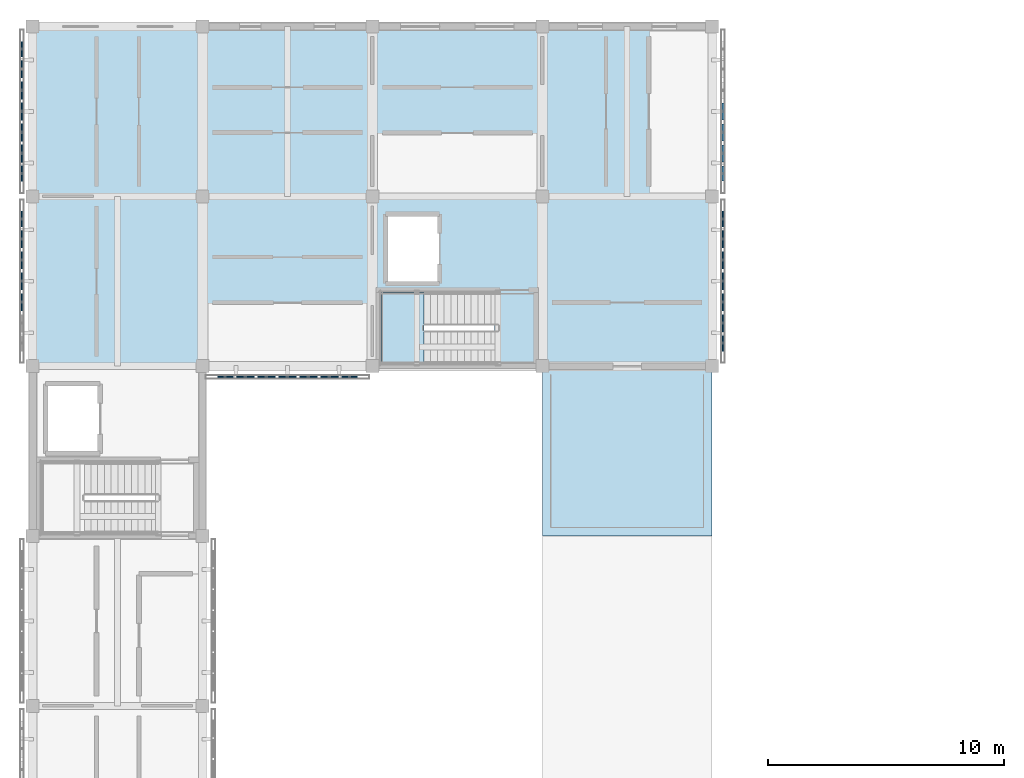
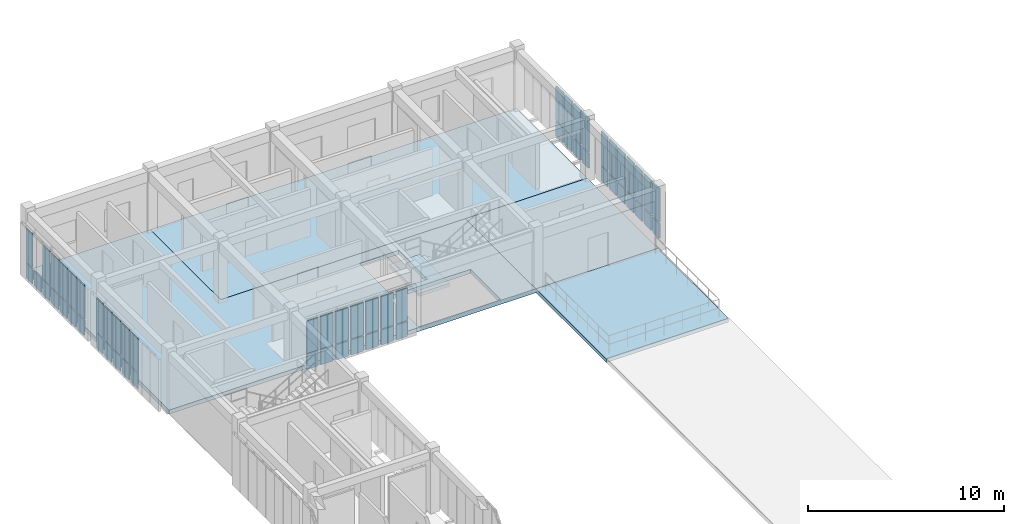
# One storey, part 18 of 33: 59 plates, 5 slabs, 6 elements without a shape of their own.
"""IFC4 building model written with IfcOpenShell, lengths in metres."""

from ifc_helpers import new_model, si_unit, direction, frame, origin, origin_2d, place, context, subcontext, project, spatial, polyline, rectangle, outline, extrude, material, layer, layer_set, type_object, element, aggregate, save


model = new_model("IFC4")

# Units and contexts
model_context = context("Model", 3, precision=1e-05, world=origin(), true_north=direction((0.0, 1.0)))
body_context = subcontext(model_context, "Body", "Model", "MODEL_VIEW")
ifc_project = project(units=[si_unit("LENGTHUNIT", "METRE"), si_unit("AREAUNIT", "SQUARE_METRE"), si_unit("VOLUMEUNIT", "CUBIC_METRE"), si_unit("PLANEANGLEUNIT", "RADIAN"), si_unit("MASSUNIT", "GRAM", prefix="KILO")], contexts=[model_context])

# Site, building, storey
site_placement = place(None, origin())
site = spatial("IfcSite", under=ifc_project, at=site_placement, CompositionType="ELEMENT")
building_placement = place(site_placement, origin())
building = spatial("IfcBuilding", under=site, at=building_placement, Name="Aldebral Square Health Centre", CompositionType="ELEMENT")
storey_placement = place(building_placement, frame((0.0, 0.0, 17.550048828125)))
storey = spatial("IfcBuildingStorey", under=building, at=storey_placement, Name="L04", CompositionType="ELEMENT", Elevation=17.550048828125)

# Curtain wall, plates
ifc_material_1 = material(Name="Aluminium and low-E solar glass", Category="aluminium")
curtain_wall_type = type_object("IfcCurtainWallType", Name="CW-FIN-SYS", PredefinedType="USERDEFINED", material=ifc_material_1)
curtain_wall_1_placement = place(storey_placement, origin())
curtain_wall_1 = element("IfcCurtainWall", 1, at=curtain_wall_1_placement, inside=storey, type_object=curtain_wall_type, Name="L04 V4 finned curtain wall L04-V4-00-14-W", ObjectType="SOLAR_CURTAIN_WALL", PredefinedType="USERDEFINED")
ifc_material_2 = material(Name="Solar-control low-E double glass", Category="glass")
ifc_layer_1 = layer(ifc_material_2, 0.050048828125, Name="Solar-control low-E double glass", Category="glass")
ifc_layer_set_1 = layer_set([ifc_layer_1], Name="Solar-control low-E double glass")
plate_type_1 = type_object("IfcPlateType", Name="CWP-GLZ-4", PredefinedType="CURTAIN_PANEL", material=ifc_layer_set_1)
plate_1_placement = place(storey_placement, frame((-0.4599609375, 107.0341796875, 0.074951171875), z_axis=(0.0, 0.0, 1.0), x_axis=(0.0, -1.0, 0.0)))
plate_1 = element("IfcPlate", 2, at=plate_1_placement, type_object=plate_type_1, Name="CW1 panel 1.1", PredefinedType="CURTAIN_PANEL", context=body_context, shape_type="SweptSolid", body=[
    extrude(rectangle(XDim=0.6513671875, YDim=0.050048828125, at=origin_2d()), origin(), (0.0, 0.0, 1.0), 0.9375),
])
plate_2_placement = place(storey_placement, frame((-0.4599609375, 107.0341796875, 1.08740234375), z_axis=(0.0, 0.0, 1.0), x_axis=(0.0, -1.0, 0.0)))
plate_2 = element("IfcPlate", 3, at=plate_2_placement, type_object=plate_type_1, Name="CW1 panel 1.2", PredefinedType="CURTAIN_PANEL", context=body_context, shape_type="SweptSolid", body=[
    extrude(rectangle(XDim=0.6513671875, YDim=0.050048828125, at=origin_2d()), origin(), (0.0, 0.0, 1.0), 2.08740234375),
])
plate_3_placement = place(storey_placement, frame((-0.4599609375, 106.182861328125, 0.074951171875), z_axis=(0.0, 0.0, 1.0), x_axis=(0.0, -1.0, 0.0)))
plate_3 = element("IfcPlate", 4, at=plate_3_placement, type_object=plate_type_1, Name="CW1 panel 2.1", PredefinedType="CURTAIN_PANEL", context=body_context, shape_type="SweptSolid", body=[
    extrude(rectangle(XDim=0.7314453125, YDim=0.050048828125, at=origin_2d()), origin(), (0.0, 0.0, 1.0), 0.9375),
])
plate_4_placement = place(storey_placement, frame((-0.4599609375, 106.182861328125, 1.08740234375), z_axis=(0.0, 0.0, 1.0), x_axis=(0.0, -1.0, 0.0)))
plate_4 = element("IfcPlate", 5, at=plate_4_placement, type_object=plate_type_1, Name="CW1 panel 2.2", PredefinedType="CURTAIN_PANEL", context=body_context, shape_type="SweptSolid", body=[
    extrude(rectangle(XDim=0.7314453125, YDim=0.050048828125, at=origin_2d()), origin(), (0.0, 0.0, 1.0), 2.08740234375),
])
plate_5_placement = place(storey_placement, frame((-0.4599609375, 105.29150390625, 0.074951171875), z_axis=(0.0, 0.0, 1.0), x_axis=(0.0, -1.0, 0.0)))
plate_5 = element("IfcPlate", 6, at=plate_5_placement, type_object=plate_type_1, Name="CW1 panel 3.1", PredefinedType="CURTAIN_PANEL", context=body_context, shape_type="SweptSolid", body=[
    extrude(rectangle(XDim=0.7314453125, YDim=0.050048828125, at=origin_2d()), origin(), (0.0, 0.0, 1.0), 0.9375),
])
plate_6_placement = place(storey_placement, frame((-0.4599609375, 105.29150390625, 1.08740234375), z_axis=(0.0, 0.0, 1.0), x_axis=(0.0, -1.0, 0.0)))
plate_6 = element("IfcPlate", 7, at=plate_6_placement, type_object=plate_type_1, Name="CW1 panel 3.2", PredefinedType="CURTAIN_PANEL", context=body_context, shape_type="SweptSolid", body=[
    extrude(rectangle(XDim=0.7314453125, YDim=0.050048828125, at=origin_2d()), origin(), (0.0, 0.0, 1.0), 2.08740234375),
])
plate_7_placement = place(storey_placement, frame((-0.4599609375, 104.39990234375, 0.074951171875), z_axis=(0.0, 0.0, 1.0), x_axis=(0.0, -1.0, 0.0)))
plate_7 = element("IfcPlate", 8, at=plate_7_placement, type_object=plate_type_1, Name="CW1 panel 4.1", PredefinedType="CURTAIN_PANEL", context=body_context, shape_type="SweptSolid", body=[
    extrude(rectangle(XDim=0.7314453125, YDim=0.050048828125, at=origin_2d()), origin(), (0.0, 0.0, 1.0), 0.9375),
])
plate_8_placement = place(storey_placement, frame((-0.4599609375, 104.39990234375, 1.08740234375), z_axis=(0.0, 0.0, 1.0), x_axis=(0.0, -1.0, 0.0)))
plate_8 = element("IfcPlate", 9, at=plate_8_placement, type_object=plate_type_1, Name="CW1 panel 4.2", PredefinedType="CURTAIN_PANEL", context=body_context, shape_type="SweptSolid", body=[
    extrude(rectangle(XDim=0.7314453125, YDim=0.050048828125, at=origin_2d()), origin(), (0.0, 0.0, 1.0), 2.08740234375),
])
plate_9_placement = place(storey_placement, frame((-0.4599609375, 103.508544921875, 0.074951171875), z_axis=(0.0, 0.0, 1.0), x_axis=(0.0, -1.0, 0.0)))
plate_9 = element("IfcPlate", 10, at=plate_9_placement, type_object=plate_type_1, Name="CW1 panel 5.1", PredefinedType="CURTAIN_PANEL", context=body_context, shape_type="SweptSolid", body=[
    extrude(rectangle(XDim=0.7314453125, YDim=0.050048828125, at=origin_2d()), origin(), (0.0, 0.0, 1.0), 0.9375),
])
plate_10_placement = place(storey_placement, frame((-0.4599609375, 103.508544921875, 1.08740234375), z_axis=(0.0, 0.0, 1.0), x_axis=(0.0, -1.0, 0.0)))
plate_10 = element("IfcPlate", 11, at=plate_10_placement, type_object=plate_type_1, Name="CW1 panel 5.2", PredefinedType="CURTAIN_PANEL", context=body_context, shape_type="SweptSolid", body=[
    extrude(rectangle(XDim=0.7314453125, YDim=0.050048828125, at=origin_2d()), origin(), (0.0, 0.0, 1.0), 2.08740234375),
])
aggregate(curtain_wall_1, [plate_1, plate_2, plate_3, plate_4, plate_5, plate_6, plate_7, plate_8, plate_9, plate_10])

curtain_wall_2_placement = place(storey_placement, origin())
curtain_wall_2 = element("IfcCurtainWall", 12, at=curtain_wall_2_placement, inside=storey, type_object=curtain_wall_type, Name="L04 V4 finned curtain wall L04-V4-00-15-W", ObjectType="SOLAR_CURTAIN_WALL", PredefinedType="USERDEFINED")
ifc_layer_2 = layer(ifc_material_2, 0.06005859375, Name="Solar-control low-E double glass", Category="glass")
ifc_layer_set_2 = layer_set([ifc_layer_2], Name="Solar-control low-E double glass")
plate_type_2 = type_object("IfcPlateType", Name="CWP-GLZ-5", PredefinedType="CURTAIN_PANEL", material=ifc_layer_set_2)
plate_11_placement = place(storey_placement, frame((-0.4599609375, 114.234375, 0.074951171875), z_axis=(0.0, 0.0, 1.0), x_axis=(0.0, -1.0, 0.0)))
plate_11 = element("IfcPlate", 13, at=plate_11_placement, type_object=plate_type_2, Name="CW1 panel 1.1", PredefinedType="CURTAIN_PANEL", context=body_context, shape_type="SweptSolid", body=[
    extrude(rectangle(XDim=0.6513671875, YDim=0.06005859375, at=origin_2d()), origin(), (0.0, 0.0, 1.0), 0.9375),
])
plate_12_placement = place(storey_placement, frame((-0.4599609375, 114.234375, 1.08740234375), z_axis=(0.0, 0.0, 1.0), x_axis=(0.0, -1.0, 0.0)))
plate_12 = element("IfcPlate", 14, at=plate_12_placement, type_object=plate_type_2, Name="CW1 panel 1.2", PredefinedType="CURTAIN_PANEL", context=body_context, shape_type="SweptSolid", body=[
    extrude(rectangle(XDim=0.6513671875, YDim=0.06005859375, at=origin_2d()), origin(), (0.0, 0.0, 1.0), 2.08740234375),
])
plate_13_placement = place(storey_placement, frame((-0.4599609375, 113.3828125, 0.074951171875), z_axis=(0.0, 0.0, 1.0), x_axis=(0.0, -1.0, 0.0)))
plate_13 = element("IfcPlate", 15, at=plate_13_placement, type_object=plate_type_2, Name="CW1 panel 2.1", PredefinedType="CURTAIN_PANEL", context=body_context, shape_type="SweptSolid", body=[
    extrude(rectangle(XDim=0.7314453125, YDim=0.06005859375, at=origin_2d()), origin(), (0.0, 0.0, 1.0), 0.9375),
])
plate_14_placement = place(storey_placement, frame((-0.4599609375, 112.491455078125, 0.074951171875), z_axis=(0.0, 0.0, 1.0), x_axis=(0.0, -1.0, 0.0)))
plate_14 = element("IfcPlate", 16, at=plate_14_placement, type_object=plate_type_2, Name="CW1 panel 3.1", PredefinedType="CURTAIN_PANEL", context=body_context, shape_type="SweptSolid", body=[
    extrude(rectangle(XDim=0.7314453125, YDim=0.06005859375, at=origin_2d()), origin(), (0.0, 0.0, 1.0), 0.9375),
])
plate_15_placement = place(storey_placement, frame((-0.4599609375, 112.491455078125, 1.08740234375), z_axis=(0.0, 0.0, 1.0), x_axis=(0.0, -1.0, 0.0)))
plate_15 = element("IfcPlate", 17, at=plate_15_placement, type_object=plate_type_2, Name="CW1 panel 3.2", PredefinedType="CURTAIN_PANEL", context=body_context, shape_type="SweptSolid", body=[
    extrude(rectangle(XDim=0.7314453125, YDim=0.06005859375, at=origin_2d()), origin(), (0.0, 0.0, 1.0), 2.08740234375),
])
plate_16_placement = place(storey_placement, frame((-0.4599609375, 111.60009765625, 0.074951171875), z_axis=(0.0, 0.0, 1.0), x_axis=(0.0, -1.0, 0.0)))
plate_16 = element("IfcPlate", 18, at=plate_16_placement, type_object=plate_type_2, Name="CW1 panel 4.1", PredefinedType="CURTAIN_PANEL", context=body_context, shape_type="SweptSolid", body=[
    extrude(rectangle(XDim=0.7314453125, YDim=0.06005859375, at=origin_2d()), origin(), (0.0, 0.0, 1.0), 0.9375),
])
plate_17_placement = place(storey_placement, frame((-0.4599609375, 111.60009765625, 1.08740234375), z_axis=(0.0, 0.0, 1.0), x_axis=(0.0, -1.0, 0.0)))
plate_17 = element("IfcPlate", 19, at=plate_17_placement, type_object=plate_type_2, Name="CW1 panel 4.2", PredefinedType="CURTAIN_PANEL", context=body_context, shape_type="SweptSolid", body=[
    extrude(rectangle(XDim=0.7314453125, YDim=0.06005859375, at=origin_2d()), origin(), (0.0, 0.0, 1.0), 2.08740234375),
])
plate_18_placement = place(storey_placement, frame((-0.4599609375, 110.70849609375, 0.074951171875), z_axis=(0.0, 0.0, 1.0), x_axis=(0.0, -1.0, 0.0)))
plate_18 = element("IfcPlate", 20, at=plate_18_placement, type_object=plate_type_2, Name="CW1 panel 5.1", PredefinedType="CURTAIN_PANEL", context=body_context, shape_type="SweptSolid", body=[
    extrude(rectangle(XDim=0.7314453125, YDim=0.06005859375, at=origin_2d()), origin(), (0.0, 0.0, 1.0), 0.9375),
])
plate_19_placement = place(storey_placement, frame((-0.4599609375, 110.70849609375, 1.08740234375), z_axis=(0.0, 0.0, 1.0), x_axis=(0.0, -1.0, 0.0)))
plate_19 = element("IfcPlate", 21, at=plate_19_placement, type_object=plate_type_2, Name="CW1 panel 5.2", PredefinedType="CURTAIN_PANEL", context=body_context, shape_type="SweptSolid", body=[
    extrude(rectangle(XDim=0.7314453125, YDim=0.06005859375, at=origin_2d()), origin(), (0.0, 0.0, 1.0), 2.08740234375),
])
plate_20_placement = place(storey_placement, frame((-0.4599609375, 109.817138671875, 0.074951171875), z_axis=(0.0, 0.0, 1.0), x_axis=(0.0, -1.0, 0.0)))
plate_20 = element("IfcPlate", 22, at=plate_20_placement, type_object=plate_type_2, Name="CW1 panel 6.1", PredefinedType="CURTAIN_PANEL", context=body_context, shape_type="SweptSolid", body=[
    extrude(rectangle(XDim=0.7314453125, YDim=0.06005859375, at=origin_2d()), origin(), (0.0, 0.0, 1.0), 0.9375),
])
plate_21_placement = place(storey_placement, frame((-0.4599609375, 109.817138671875, 1.08740234375), z_axis=(0.0, 0.0, 1.0), x_axis=(0.0, -1.0, 0.0)))
plate_21 = element("IfcPlate", 23, at=plate_21_placement, type_object=plate_type_2, Name="CW1 panel 6.2", PredefinedType="CURTAIN_PANEL", context=body_context, shape_type="SweptSolid", body=[
    extrude(rectangle(XDim=0.7314453125, YDim=0.06005859375, at=origin_2d()), origin(), (0.0, 0.0, 1.0), 2.08740234375),
])
plate_22_placement = place(storey_placement, frame((-0.4599609375, 108.9658203125, 0.074951171875), z_axis=(0.0, 0.0, 1.0), x_axis=(0.0, -1.0, 0.0)))
plate_22 = element("IfcPlate", 24, at=plate_22_placement, type_object=plate_type_2, Name="CW1 panel 7.1", PredefinedType="CURTAIN_PANEL", context=body_context, shape_type="SweptSolid", body=[
    extrude(rectangle(XDim=0.6513671875, YDim=0.06005859375, at=origin_2d()), origin(), (0.0, 0.0, 1.0), 0.9375),
])
plate_23_placement = place(storey_placement, frame((-0.4599609375, 108.9658203125, 1.08740234375), z_axis=(0.0, 0.0, 1.0), x_axis=(0.0, -1.0, 0.0)))
plate_23 = element("IfcPlate", 25, at=plate_23_placement, type_object=plate_type_2, Name="CW1 panel 7.2", PredefinedType="CURTAIN_PANEL", context=body_context, shape_type="SweptSolid", body=[
    extrude(rectangle(XDim=0.6513671875, YDim=0.06005859375, at=origin_2d()), origin(), (0.0, 0.0, 1.0), 2.08740234375),
])
aggregate(curtain_wall_2, [plate_11, plate_12, plate_13, plate_14, plate_15, plate_16, plate_17, plate_18, plate_19, plate_20, plate_21, plate_22, plate_23])

curtain_wall_3_placement = place(storey_placement, origin())
curtain_wall_3 = element("IfcCurtainWall", 26, at=curtain_wall_3_placement, inside=storey, type_object=curtain_wall_type, Name="L04 V4 finned curtain wall L04-V4-01-14-S", ObjectType="SOLAR_CURTAIN_WALL", PredefinedType="USERDEFINED")
ifc_layer_3 = layer(ifc_material_2, 0.070068359375, Name="Solar-control low-E double glass", Category="glass")
ifc_layer_set_3 = layer_set([ifc_layer_3], Name="Solar-control low-E double glass")
plate_type_3 = type_object("IfcPlateType", Name="CWP-GLZ-6", PredefinedType="CURTAIN_PANEL", material=ifc_layer_set_3)
plate_24_placement = place(storey_placement, frame((8.165771484375, 100.340087890625, 0.074951171875), z_axis=(0.0, 0.0, 1.0), x_axis=(1.0, 0.0, 0.0)))
plate_24 = element("IfcPlate", 27, at=plate_24_placement, type_object=plate_type_3, Name="CW1 panel 1.1", PredefinedType="CURTAIN_PANEL", context=body_context, shape_type="SweptSolid", body=[
    extrude(rectangle(XDim=0.6513671875, YDim=0.070068359375, at=origin_2d()), origin(), (0.0, 0.0, 1.0), 0.9375),
])
plate_25_placement = place(storey_placement, frame((8.165771484375, 100.340087890625, 1.08740234375), z_axis=(0.0, 0.0, 1.0), x_axis=(1.0, 0.0, 0.0)))
plate_25 = element("IfcPlate", 28, at=plate_25_placement, type_object=plate_type_3, Name="CW1 panel 1.2", PredefinedType="CURTAIN_PANEL", context=body_context, shape_type="SweptSolid", body=[
    extrude(rectangle(XDim=0.6513671875, YDim=0.070068359375, at=origin_2d()), origin(), (0.0, 0.0, 1.0), 1.987548828125),
])
plate_26_placement = place(storey_placement, frame((9.01708984375, 100.340087890625, 0.074951171875), z_axis=(0.0, 0.0, 1.0), x_axis=(1.0, 0.0, 0.0)))
plate_26 = element("IfcPlate", 29, at=plate_26_placement, type_object=plate_type_3, Name="CW1 panel 2.1", PredefinedType="CURTAIN_PANEL", context=body_context, shape_type="SweptSolid", body=[
    extrude(rectangle(XDim=0.7314453125, YDim=0.070068359375, at=origin_2d()), origin(), (0.0, 0.0, 1.0), 0.9375),
])
plate_27_placement = place(storey_placement, frame((9.01708984375, 100.340087890625, 1.08740234375), z_axis=(0.0, 0.0, 1.0), x_axis=(1.0, 0.0, 0.0)))
plate_27 = element("IfcPlate", 30, at=plate_27_placement, type_object=plate_type_3, Name="CW1 panel 2.2", PredefinedType="CURTAIN_PANEL", context=body_context, shape_type="SweptSolid", body=[
    extrude(rectangle(XDim=0.7314453125, YDim=0.070068359375, at=origin_2d()), origin(), (0.0, 0.0, 1.0), 1.987548828125),
])
plate_28_placement = place(storey_placement, frame((9.90869140625, 100.340087890625, 0.074951171875), z_axis=(0.0, 0.0, 1.0), x_axis=(1.0, 0.0, 0.0)))
plate_28 = element("IfcPlate", 31, at=plate_28_placement, type_object=plate_type_3, Name="CW1 panel 3.1", PredefinedType="CURTAIN_PANEL", context=body_context, shape_type="SweptSolid", body=[
    extrude(rectangle(XDim=0.7314453125, YDim=0.070068359375, at=origin_2d()), origin(), (0.0, 0.0, 1.0), 0.9375),
])
plate_29_placement = place(storey_placement, frame((9.90869140625, 100.340087890625, 1.08740234375), z_axis=(0.0, 0.0, 1.0), x_axis=(1.0, 0.0, 0.0)))
plate_29 = element("IfcPlate", 32, at=plate_29_placement, type_object=plate_type_3, Name="CW1 panel 3.2", PredefinedType="CURTAIN_PANEL", context=body_context, shape_type="SweptSolid", body=[
    extrude(rectangle(XDim=0.7314453125, YDim=0.070068359375, at=origin_2d()), origin(), (0.0, 0.0, 1.0), 1.987548828125),
])
plate_30_placement = place(storey_placement, frame((10.800048828125, 100.340087890625, 0.074951171875), z_axis=(0.0, 0.0, 1.0), x_axis=(1.0, 0.0, 0.0)))
plate_30 = element("IfcPlate", 33, at=plate_30_placement, type_object=plate_type_3, Name="CW1 panel 4.1", PredefinedType="CURTAIN_PANEL", context=body_context, shape_type="SweptSolid", body=[
    extrude(rectangle(XDim=0.7314453125, YDim=0.070068359375, at=origin_2d()), origin(), (0.0, 0.0, 1.0), 0.9375),
])
plate_31_placement = place(storey_placement, frame((10.800048828125, 100.340087890625, 1.08740234375), z_axis=(0.0, 0.0, 1.0), x_axis=(1.0, 0.0, 0.0)))
plate_31 = element("IfcPlate", 34, at=plate_31_placement, type_object=plate_type_3, Name="CW1 panel 4.2", PredefinedType="CURTAIN_PANEL", context=body_context, shape_type="SweptSolid", body=[
    extrude(rectangle(XDim=0.7314453125, YDim=0.070068359375, at=origin_2d()), origin(), (0.0, 0.0, 1.0), 1.987548828125),
])
plate_32_placement = place(storey_placement, frame((11.69140625, 100.340087890625, 0.074951171875), z_axis=(0.0, 0.0, 1.0), x_axis=(1.0, 0.0, 0.0)))
plate_32 = element("IfcPlate", 35, at=plate_32_placement, type_object=plate_type_3, Name="CW1 panel 5.1", PredefinedType="CURTAIN_PANEL", context=body_context, shape_type="SweptSolid", body=[
    extrude(rectangle(XDim=0.7314453125, YDim=0.070068359375, at=origin_2d()), origin(), (0.0, 0.0, 1.0), 0.9375),
])
plate_33_placement = place(storey_placement, frame((11.69140625, 100.340087890625, 1.08740234375), z_axis=(0.0, 0.0, 1.0), x_axis=(1.0, 0.0, 0.0)))
plate_33 = element("IfcPlate", 36, at=plate_33_placement, type_object=plate_type_3, Name="CW1 panel 5.2", PredefinedType="CURTAIN_PANEL", context=body_context, shape_type="SweptSolid", body=[
    extrude(rectangle(XDim=0.7314453125, YDim=0.070068359375, at=origin_2d()), origin(), (0.0, 0.0, 1.0), 1.987548828125),
])
plate_34_placement = place(storey_placement, frame((12.582763671875, 100.340087890625, 0.074951171875), z_axis=(0.0, 0.0, 1.0), x_axis=(1.0, 0.0, 0.0)))
plate_34 = element("IfcPlate", 37, at=plate_34_placement, type_object=plate_type_3, Name="CW1 panel 6.1", PredefinedType="CURTAIN_PANEL", context=body_context, shape_type="SweptSolid", body=[
    extrude(rectangle(XDim=0.7314453125, YDim=0.070068359375, at=origin_2d()), origin(), (0.0, 0.0, 1.0), 0.9375),
])
plate_35_placement = place(storey_placement, frame((12.582763671875, 100.340087890625, 1.08740234375), z_axis=(0.0, 0.0, 1.0), x_axis=(1.0, 0.0, 0.0)))
plate_35 = element("IfcPlate", 38, at=plate_35_placement, type_object=plate_type_3, Name="CW1 panel 6.2", PredefinedType="CURTAIN_PANEL", context=body_context, shape_type="SweptSolid", body=[
    extrude(rectangle(XDim=0.7314453125, YDim=0.070068359375, at=origin_2d()), origin(), (0.0, 0.0, 1.0), 1.987548828125),
])
plate_36_placement = place(storey_placement, frame((13.434326171875, 100.340087890625, 0.074951171875), z_axis=(0.0, 0.0, 1.0), x_axis=(1.0, 0.0, 0.0)))
plate_36 = element("IfcPlate", 39, at=plate_36_placement, type_object=plate_type_3, Name="CW1 panel 7.1", PredefinedType="CURTAIN_PANEL", context=body_context, shape_type="SweptSolid", body=[
    extrude(rectangle(XDim=0.6513671875, YDim=0.070068359375, at=origin_2d()), origin(), (0.0, 0.0, 1.0), 0.9375),
])
plate_37_placement = place(storey_placement, frame((13.434326171875, 100.340087890625, 1.08740234375), z_axis=(0.0, 0.0, 1.0), x_axis=(1.0, 0.0, 0.0)))
plate_37 = element("IfcPlate", 40, at=plate_37_placement, type_object=plate_type_3, Name="CW1 panel 7.2", PredefinedType="CURTAIN_PANEL", context=body_context, shape_type="SweptSolid", body=[
    extrude(rectangle(XDim=0.6513671875, YDim=0.070068359375, at=origin_2d()), origin(), (0.0, 0.0, 1.0), 1.987548828125),
])
aggregate(curtain_wall_3, [plate_24, plate_25, plate_26, plate_27, plate_28, plate_29, plate_30, plate_31, plate_32, plate_33, plate_34, plate_35, plate_36, plate_37])

curtain_wall_4_placement = place(storey_placement, origin())
curtain_wall_4 = element("IfcCurtainWall", 41, at=curtain_wall_4_placement, inside=storey, type_object=curtain_wall_type, Name="L04 V4 finned curtain wall L04-V4-03-14-E", ObjectType="SOLAR_CURTAIN_WALL", PredefinedType="USERDEFINED")
ifc_layer_4 = layer(ifc_material_2, 0.080078125, Name="Solar-control low-E double glass", Category="glass")
ifc_layer_set_4 = layer_set([ifc_layer_4], Name="Solar-control low-E double glass")
plate_type_4 = type_object("IfcPlateType", Name="CWP-GLZ-7", PredefinedType="CURTAIN_PANEL", material=ifc_layer_set_4)
plate_38_placement = place(storey_placement, frame((29.260009765625, 101.765625, 0.074951171875), z_axis=(0.0, 0.0, 1.0), x_axis=(0.0, 1.0, 0.0)))
plate_38 = element("IfcPlate", 42, at=plate_38_placement, type_object=plate_type_4, Name="CW1 panel 1.1", PredefinedType="CURTAIN_PANEL", context=body_context, shape_type="SweptSolid", body=[
    extrude(rectangle(XDim=0.6513671875, YDim=0.080078125, at=origin_2d()), origin(), (0.0, 0.0, 1.0), 0.9375),
])
plate_39_placement = place(storey_placement, frame((29.260009765625, 101.765625, 1.08740234375), z_axis=(0.0, 0.0, 1.0), x_axis=(0.0, 1.0, 0.0)))
plate_39 = element("IfcPlate", 43, at=plate_39_placement, type_object=plate_type_4, Name="CW1 panel 1.2", PredefinedType="CURTAIN_PANEL", context=body_context, shape_type="SweptSolid", body=[
    extrude(rectangle(XDim=0.6513671875, YDim=0.080078125, at=origin_2d()), origin(), (0.0, 0.0, 1.0), 2.08740234375),
])
plate_40_placement = place(storey_placement, frame((29.260009765625, 102.6171875, 0.074951171875), z_axis=(0.0, 0.0, 1.0), x_axis=(0.0, 1.0, 0.0)))
plate_40 = element("IfcPlate", 44, at=plate_40_placement, type_object=plate_type_4, Name="CW1 panel 2.1", PredefinedType="CURTAIN_PANEL", context=body_context, shape_type="SweptSolid", body=[
    extrude(rectangle(XDim=0.7314453125, YDim=0.080078125, at=origin_2d()), origin(), (0.0, 0.0, 1.0), 0.9375),
])
plate_41_placement = place(storey_placement, frame((29.260009765625, 102.6171875, 1.08740234375), z_axis=(0.0, 0.0, 1.0), x_axis=(0.0, 1.0, 0.0)))
plate_41 = element("IfcPlate", 45, at=plate_41_placement, type_object=plate_type_4, Name="CW1 panel 2.2", PredefinedType="CURTAIN_PANEL", context=body_context, shape_type="SweptSolid", body=[
    extrude(rectangle(XDim=0.7314453125, YDim=0.080078125, at=origin_2d()), origin(), (0.0, 0.0, 1.0), 2.08740234375),
])
plate_42_placement = place(storey_placement, frame((29.260009765625, 103.508544921875, 0.074951171875), z_axis=(0.0, 0.0, 1.0), x_axis=(0.0, 1.0, 0.0)))
plate_42 = element("IfcPlate", 46, at=plate_42_placement, type_object=plate_type_4, Name="CW1 panel 3.1", PredefinedType="CURTAIN_PANEL", context=body_context, shape_type="SweptSolid", body=[
    extrude(rectangle(XDim=0.7314453125, YDim=0.080078125, at=origin_2d()), origin(), (0.0, 0.0, 1.0), 0.9375),
])
plate_43_placement = place(storey_placement, frame((29.260009765625, 103.508544921875, 1.08740234375), z_axis=(0.0, 0.0, 1.0), x_axis=(0.0, 1.0, 0.0)))
plate_43 = element("IfcPlate", 47, at=plate_43_placement, type_object=plate_type_4, Name="CW1 panel 3.2", PredefinedType="CURTAIN_PANEL", context=body_context, shape_type="SweptSolid", body=[
    extrude(rectangle(XDim=0.7314453125, YDim=0.080078125, at=origin_2d()), origin(), (0.0, 0.0, 1.0), 2.08740234375),
])
plate_44_placement = place(storey_placement, frame((29.260009765625, 104.39990234375, 0.074951171875), z_axis=(0.0, 0.0, 1.0), x_axis=(0.0, 1.0, 0.0)))
plate_44 = element("IfcPlate", 48, at=plate_44_placement, type_object=plate_type_4, Name="CW1 panel 4.1", PredefinedType="CURTAIN_PANEL", context=body_context, shape_type="SweptSolid", body=[
    extrude(rectangle(XDim=0.7314453125, YDim=0.080078125, at=origin_2d()), origin(), (0.0, 0.0, 1.0), 0.9375),
])
plate_45_placement = place(storey_placement, frame((29.260009765625, 104.39990234375, 1.08740234375), z_axis=(0.0, 0.0, 1.0), x_axis=(0.0, 1.0, 0.0)))
plate_45 = element("IfcPlate", 49, at=plate_45_placement, type_object=plate_type_4, Name="CW1 panel 4.2", PredefinedType="CURTAIN_PANEL", context=body_context, shape_type="SweptSolid", body=[
    extrude(rectangle(XDim=0.7314453125, YDim=0.080078125, at=origin_2d()), origin(), (0.0, 0.0, 1.0), 2.08740234375),
])
plate_46_placement = place(storey_placement, frame((29.260009765625, 105.29150390625, 0.074951171875), z_axis=(0.0, 0.0, 1.0), x_axis=(0.0, 1.0, 0.0)))
plate_46 = element("IfcPlate", 50, at=plate_46_placement, type_object=plate_type_4, Name="CW1 panel 5.1", PredefinedType="CURTAIN_PANEL", context=body_context, shape_type="SweptSolid", body=[
    extrude(rectangle(XDim=0.7314453125, YDim=0.080078125, at=origin_2d()), origin(), (0.0, 0.0, 1.0), 0.9375),
])
plate_47_placement = place(storey_placement, frame((29.260009765625, 105.29150390625, 1.08740234375), z_axis=(0.0, 0.0, 1.0), x_axis=(0.0, 1.0, 0.0)))
plate_47 = element("IfcPlate", 51, at=plate_47_placement, type_object=plate_type_4, Name="CW1 panel 5.2", PredefinedType="CURTAIN_PANEL", context=body_context, shape_type="SweptSolid", body=[
    extrude(rectangle(XDim=0.7314453125, YDim=0.080078125, at=origin_2d()), origin(), (0.0, 0.0, 1.0), 2.08740234375),
])
plate_48_placement = place(storey_placement, frame((29.260009765625, 106.182861328125, 0.074951171875), z_axis=(0.0, 0.0, 1.0), x_axis=(0.0, 1.0, 0.0)))
plate_48 = element("IfcPlate", 52, at=plate_48_placement, type_object=plate_type_4, Name="CW1 panel 6.1", PredefinedType="CURTAIN_PANEL", context=body_context, shape_type="SweptSolid", body=[
    extrude(rectangle(XDim=0.7314453125, YDim=0.080078125, at=origin_2d()), origin(), (0.0, 0.0, 1.0), 0.9375),
])
plate_49_placement = place(storey_placement, frame((29.260009765625, 106.182861328125, 1.08740234375), z_axis=(0.0, 0.0, 1.0), x_axis=(0.0, 1.0, 0.0)))
plate_49 = element("IfcPlate", 53, at=plate_49_placement, type_object=plate_type_4, Name="CW1 panel 6.2", PredefinedType="CURTAIN_PANEL", context=body_context, shape_type="SweptSolid", body=[
    extrude(rectangle(XDim=0.7314453125, YDim=0.080078125, at=origin_2d()), origin(), (0.0, 0.0, 1.0), 2.08740234375),
])
plate_50_placement = place(storey_placement, frame((29.260009765625, 107.0341796875, 0.074951171875), z_axis=(0.0, 0.0, 1.0), x_axis=(0.0, 1.0, 0.0)))
plate_50 = element("IfcPlate", 54, at=plate_50_placement, type_object=plate_type_4, Name="CW1 panel 7.1", PredefinedType="CURTAIN_PANEL", context=body_context, shape_type="SweptSolid", body=[
    extrude(rectangle(XDim=0.6513671875, YDim=0.080078125, at=origin_2d()), origin(), (0.0, 0.0, 1.0), 0.9375),
])
plate_51_placement = place(storey_placement, frame((29.260009765625, 107.0341796875, 1.08740234375), z_axis=(0.0, 0.0, 1.0), x_axis=(0.0, 1.0, 0.0)))
plate_51 = element("IfcPlate", 55, at=plate_51_placement, type_object=plate_type_4, Name="CW1 panel 7.2", PredefinedType="CURTAIN_PANEL", context=body_context, shape_type="SweptSolid", body=[
    extrude(rectangle(XDim=0.6513671875, YDim=0.080078125, at=origin_2d()), origin(), (0.0, 0.0, 1.0), 2.08740234375),
])
aggregate(curtain_wall_4, [plate_38, plate_39, plate_40, plate_41, plate_42, plate_43, plate_44, plate_45, plate_46, plate_47, plate_48, plate_49, plate_50, plate_51])

curtain_wall_5_placement = place(storey_placement, origin())
curtain_wall_5 = element("IfcCurtainWall", 56, at=curtain_wall_5_placement, inside=storey, type_object=curtain_wall_type, Name="L04 V4 finned curtain wall L04-V4-03-15-E", ObjectType="SOLAR_CURTAIN_WALL", PredefinedType="USERDEFINED")
ifc_layer_5 = layer(ifc_material_2, 0.090087890625, Name="Solar-control low-E double glass", Category="glass")
ifc_layer_set_5 = layer_set([ifc_layer_5], Name="Solar-control low-E double glass")
plate_type_5 = type_object("IfcPlateType", Name="CWP-GLZ-8", PredefinedType="CURTAIN_PANEL", material=ifc_layer_set_5)
plate_52_placement = place(storey_placement, frame((29.260009765625, 108.9658203125, 0.074951171875), z_axis=(0.0, 0.0, 1.0), x_axis=(0.0, 1.0, 0.0)))
plate_52 = element("IfcPlate", 57, at=plate_52_placement, type_object=plate_type_5, Name="CW1 panel 1.1", PredefinedType="CURTAIN_PANEL", context=body_context, shape_type="SweptSolid", body=[
    extrude(rectangle(XDim=0.6513671875, YDim=0.090087890625, at=origin_2d()), origin(), (0.0, 0.0, 1.0), 0.9375),
])
plate_53_placement = place(storey_placement, frame((29.260009765625, 108.9658203125, 1.08740234375), z_axis=(0.0, 0.0, 1.0), x_axis=(0.0, 1.0, 0.0)))
plate_53 = element("IfcPlate", 58, at=plate_53_placement, type_object=plate_type_5, Name="CW1 panel 1.2", PredefinedType="CURTAIN_PANEL", context=body_context, shape_type="SweptSolid", body=[
    extrude(rectangle(XDim=0.6513671875, YDim=0.090087890625, at=origin_2d()), origin(), (0.0, 0.0, 1.0), 2.08740234375),
])
plate_54_placement = place(storey_placement, frame((29.260009765625, 109.817138671875, 0.074951171875), z_axis=(0.0, 0.0, 1.0), x_axis=(0.0, 1.0, 0.0)))
plate_54 = element("IfcPlate", 59, at=plate_54_placement, type_object=plate_type_5, Name="CW1 panel 2.1", PredefinedType="CURTAIN_PANEL", context=body_context, shape_type="SweptSolid", body=[
    extrude(rectangle(XDim=0.7314453125, YDim=0.090087890625, at=origin_2d()), origin(), (0.0, 0.0, 1.0), 0.9375),
])
plate_55_placement = place(storey_placement, frame((29.260009765625, 109.817138671875, 1.08740234375), z_axis=(0.0, 0.0, 1.0), x_axis=(0.0, 1.0, 0.0)))
plate_55 = element("IfcPlate", 60, at=plate_55_placement, type_object=plate_type_5, Name="CW1 panel 2.2", PredefinedType="CURTAIN_PANEL", context=body_context, shape_type="SweptSolid", body=[
    extrude(rectangle(XDim=0.7314453125, YDim=0.090087890625, at=origin_2d()), origin(), (0.0, 0.0, 1.0), 2.08740234375),
])
plate_56_placement = place(storey_placement, frame((29.260009765625, 110.70849609375, 0.074951171875), z_axis=(0.0, 0.0, 1.0), x_axis=(0.0, 1.0, 0.0)))
plate_56 = element("IfcPlate", 61, at=plate_56_placement, type_object=plate_type_5, Name="CW1 panel 3.1", PredefinedType="CURTAIN_PANEL", context=body_context, shape_type="SweptSolid", body=[
    extrude(rectangle(XDim=0.7314453125, YDim=0.090087890625, at=origin_2d()), origin(), (0.0, 0.0, 1.0), 0.9375),
])
plate_57_placement = place(storey_placement, frame((29.260009765625, 110.70849609375, 1.08740234375), z_axis=(0.0, 0.0, 1.0), x_axis=(0.0, 1.0, 0.0)))
plate_57 = element("IfcPlate", 62, at=plate_57_placement, type_object=plate_type_5, Name="CW1 panel 3.2", PredefinedType="CURTAIN_PANEL", context=body_context, shape_type="SweptSolid", body=[
    extrude(rectangle(XDim=0.7314453125, YDim=0.090087890625, at=origin_2d()), origin(), (0.0, 0.0, 1.0), 2.08740234375),
])
plate_58_placement = place(storey_placement, frame((29.260009765625, 111.60009765625, 0.074951171875), z_axis=(0.0, 0.0, 1.0), x_axis=(0.0, 1.0, 0.0)))
plate_58 = element("IfcPlate", 63, at=plate_58_placement, type_object=plate_type_5, Name="CW1 panel 4.1", PredefinedType="CURTAIN_PANEL", context=body_context, shape_type="SweptSolid", body=[
    extrude(rectangle(XDim=0.7314453125, YDim=0.090087890625, at=origin_2d()), origin(), (0.0, 0.0, 1.0), 0.9375),
])
plate_59_placement = place(storey_placement, frame((29.260009765625, 111.60009765625, 1.08740234375), z_axis=(0.0, 0.0, 1.0), x_axis=(0.0, 1.0, 0.0)))
plate_59 = element("IfcPlate", 64, at=plate_59_placement, type_object=plate_type_5, Name="CW1 panel 4.2", PredefinedType="CURTAIN_PANEL", context=body_context, shape_type="SweptSolid", body=[
    extrude(rectangle(XDim=0.7314453125, YDim=0.090087890625, at=origin_2d()), origin(), (0.0, 0.0, 1.0), 2.08740234375),
])
aggregate(curtain_wall_5, [plate_52, plate_53, plate_54, plate_55, plate_56, plate_57, plate_58, plate_59])

# Slabs
ifc_material_3 = material(Name="Concrete C35/45", Category="concrete")
ifc_layer_6 = layer(ifc_material_3, 0.25, Name="Concrete C35/45", Category="concrete")
ifc_layer_set_6 = layer_set([ifc_layer_6], Name="Concrete C35/45")
slab_type_1 = type_object("IfcSlabType", Name="SL-FLR-250", PredefinedType="FLOOR", material=ifc_layer_set_6)
slab_1_placement = place(storey_placement, frame((0.0, 0.0, -0.25)))
element("IfcSlab", 65, at=slab_1_placement, inside=storey, type_object=slab_type_1, Name="L04 V4 floor slab 3", PredefinedType="FLOOR", context=body_context, shape_type="SweptSolid", body=[
    extrude(outline(polyline([(0.0, 115.199951171875), (7.199951171875, 115.199951171875), (7.199951171875, 108.0), (14.39990234375, 108.0), (21.60009765625, 108.0), (21.60009765625, 100.800048828125), (14.39990234375, 100.800048828125), (7.199951171875, 100.800048828125), (0.0, 100.800048828125), (0.0, 108.0), (0.0, 115.199951171875)]), holes=[polyline([(14.739990234375, 103.9599609375), (14.739990234375, 100.8798828125), (19.580078125, 100.8798828125), (19.580078125, 103.9599609375), (14.739990234375, 103.9599609375)]), polyline([(14.949951171875, 107.25), (14.949951171875, 104.300048828125), (17.25, 104.300048828125), (17.25, 107.25), (14.949951171875, 107.25)])]), origin(), (0.0, 0.0, 1.0), 0.25),
])
slab_2_placement = place(storey_placement, frame((0.0, 0.0, -0.25)))
element("IfcSlab", 66, at=slab_2_placement, inside=storey, type_object=slab_type_1, Name="L04 V4 floor slab 4", PredefinedType="FLOOR", context=body_context, shape_type="SweptSolid", body=[
    extrude(outline(polyline([(7.199951171875, 115.199951171875), (14.39990234375, 115.199951171875), (21.60009765625, 115.199951171875), (28.800048828125, 115.199951171875), (28.800048828125, 108.0), (21.60009765625, 108.0), (14.39990234375, 108.0), (7.199951171875, 108.0), (7.199951171875, 115.199951171875)])), origin(), (0.0, 0.0, 1.0), 0.25),
])
slab_3_placement = place(storey_placement, frame((0.0, 0.0, -0.25)))
element("IfcSlab", 67, at=slab_3_placement, inside=storey, type_object=slab_type_1, Name="L04 V4 floor slab 5", PredefinedType="FLOOR", context=body_context, shape_type="SweptSolid", body=[
    extrude(outline(polyline([(21.60009765625, 100.800048828125), (21.60009765625, 108.0), (28.800048828125, 108.0), (28.800048828125, 100.800048828125), (21.60009765625, 100.800048828125)])), origin(), (0.0, 0.0, 1.0), 0.25),
])

# Stair, slab
stair_type = type_object("IfcStairType", Name="ST-DOG-140", PredefinedType="HALF_TURN_STAIR", material=ifc_material_3)
stair_placement = place(storey_placement, origin())
stair = element("IfcStair", 68, at=stair_placement, inside=storey, type_object=stair_type, Name="L04 ST-02", PredefinedType="HALF_TURN_STAIR")
ifc_layer_7 = layer(ifc_material_3, 0.199951171875, Name="Concrete C35/45", Category="concrete")
ifc_layer_set_7 = layer_set([ifc_layer_7], Name="Concrete C35/45")
slab_type_2 = type_object("IfcSlabType", Name="SL-LND-200", PredefinedType="LANDING", material=ifc_layer_set_7)
slab_4_placement = place(storey_placement, frame((0.0, 0.0, 1.824951171875)))
slab_4 = element("IfcSlab", 69, at=slab_4_placement, type_object=slab_type_2, Name="ST-02 landing 1", PredefinedType="LANDING", context=body_context, shape_type="SweptSolid", body=[
    extrude(outline(polyline([(16.5849609375, 103.919921875), (14.780029296875, 103.919921875), (14.780029296875, 100.919921875), (16.5849609375, 100.919921875), (16.5849609375, 103.919921875)])), origin(), (0.0, 0.0, 1.0), 0.199951171875),
])
aggregate(stair, [slab_4])

# Slab
ifc_layer_8 = layer(ifc_material_3, 0.22998046875, Name="Concrete C35/45", Category="concrete")
ifc_layer_set_8 = layer_set([ifc_layer_8], Name="Concrete C35/45")
slab_type_3 = type_object("IfcSlabType", Name="SL-TER-230", PredefinedType="FLOOR", material=ifc_layer_set_8)
slab_5_placement = place(storey_placement, frame((0.0, 0.0, -0.22998046875)))
element("IfcSlab", 70, at=slab_5_placement, inside=storey, type_object=slab_type_3, Name="L04 Garden Terrace", PredefinedType="FLOOR", context=body_context, shape_type="SweptSolid", body=[
    extrude(outline(polyline([(21.60009765625, 93.60009765625), (21.60009765625, 100.800048828125), (28.800048828125, 100.800048828125), (28.800048828125, 93.60009765625), (21.60009765625, 93.60009765625)])), origin(), (0.0, 0.0, 1.0), 0.22998046875),
])

save(model, "model.ifc")
